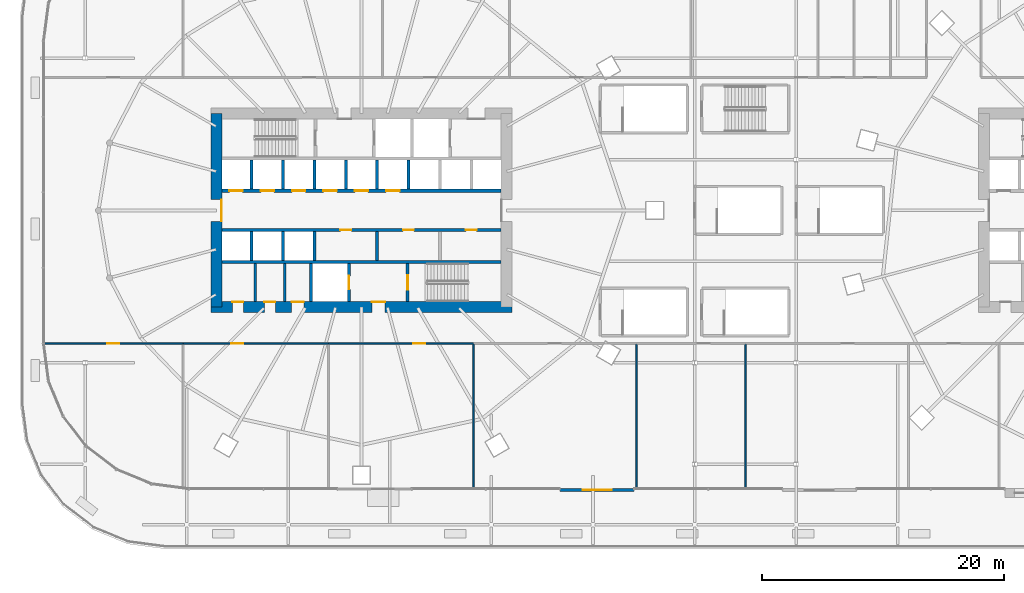
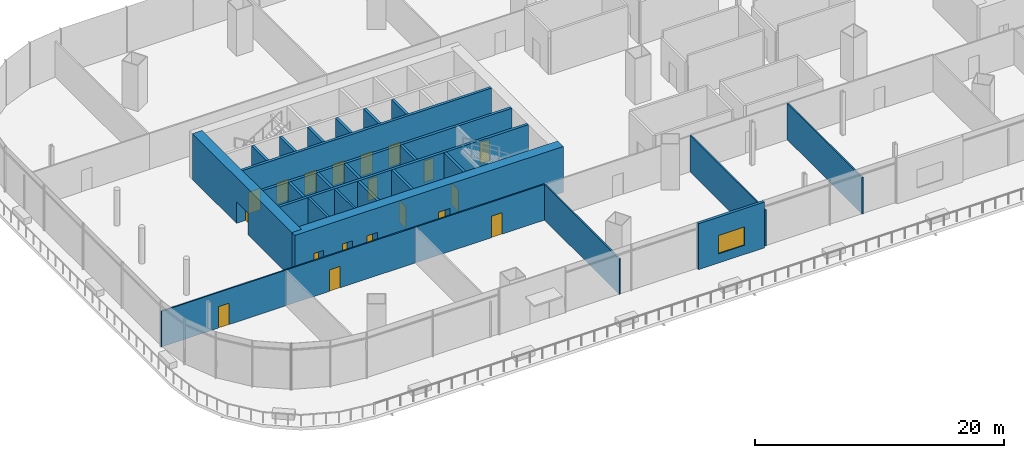
# One storey, part 31 of 49: 27 walls, 19 doors, 1 window, 20 openings.
"""IFC4 building model written with IfcOpenShell, lengths in metres."""

from ifc_helpers import new_model, si_unit, direction, frame, frame_2d, origin, place, context, subcontext, project, spatial, rectangle, extrude, material, layer, layer_set, type_object, element, fill, save


model = new_model("IFC4")

# Units and contexts
model_context = context("Model", 3, precision=1e-05, world=origin(), true_north=direction((0.0, 1.0)))
body_context = subcontext(model_context, "Body", "Model", "MODEL_VIEW")
ifc_project = project(units=[si_unit("LENGTHUNIT", "METRE"), si_unit("AREAUNIT", "SQUARE_METRE"), si_unit("VOLUMEUNIT", "CUBIC_METRE"), si_unit("PLANEANGLEUNIT", "RADIAN"), si_unit("MASSUNIT", "GRAM", prefix="KILO")], contexts=[model_context])

# Site, building, storey
site_placement = place(None, origin())
site = spatial("IfcSite", under=ifc_project, at=site_placement, CompositionType="ELEMENT")
building_placement = place(site_placement, origin())
building = spatial("IfcBuilding", under=site, at=building_placement, Name="Rimbun Link Towers", CompositionType="ELEMENT")
storey_placement = place(building_placement, frame((0.0, 0.0, 25.5)))
storey = spatial("IfcBuildingStorey", under=building, at=storey_placement, Name="L05", CompositionType="ELEMENT", Elevation=25.5)

# Walls
ifc_material_1 = material(Name="Masonry blockwork", Category="masonry")
ifc_layer_1 = layer(ifc_material_1, 0.199951171875)
ifc_layer_set_1 = layer_set([ifc_layer_1], Name="Core partition 200")
wall_type_1 = type_object("IfcWallType", Name="Core partition 200", PredefinedType="PARTITIONING", material=ifc_layer_set_1)
for number, where, z_axis, x_axis, name in (
    (1, (-40.550048828125, -4.39990234375, 0.0), (0.0, 0.0, 1.0), (0.0, -1.0, 0.0), "L05 T1 core wall C1"),
    (2, (-38.10009765625, -4.39990234375, 0.0), (0.0, 0.0, 1.0), (0.0, -1.0, 0.0), "L05 T1 core wall C2"),
):
    element("IfcWall", number, at=place(storey_placement, frame(where, z_axis=z_axis, x_axis=x_axis)), inside=storey, type_object=wall_type_1, Name=name, PredefinedType="PARTITIONING", context=body_context, shape_type="SweptSolid", body=[
        extrude(rectangle(XDim=3.150146484375, YDim=0.199951171875, at=frame_2d((1.5751953125, 0.0))), origin(), (0.0, 0.0, 1.0), 4.5),
    ])

# Wall, openings, doors
ifc_material_2 = material(Name="Concrete C60/75", Category="concrete")
ifc_layer_2 = layer(ifc_material_2, 0.89990234375)
ifc_layer_set_2 = layer_set([ifc_layer_2], Name="Core shear wall 900")
wall_type_2 = type_object("IfcWallType", Name="Core shear wall 900", PredefinedType="SHEAR", material=ifc_layer_set_2)
wall_1_placement = place(storey_placement, frame((-44.199951171875, -8.0, 0.0), z_axis=(0.0, 0.0, 1.0), x_axis=(1.0, 0.0, 0.0)))
wall_1 = element("IfcWall", 3, at=wall_1_placement, inside=storey, type_object=wall_type_2, Name="L05 T1 core wall S", PredefinedType="SHEAR", context=body_context, shape_type="SweptSolid", body=[
    extrude(rectangle(XDim=24.89990234375, YDim=0.89990234375, at=frame_2d((12.449951171875, 0.0))), origin(), (0.0, 0.0, 1.0), 4.5),
])
opening_1_placement = place(wall_1_placement, frame((13.300048828125, 0.0, 0.0)))
opening_1 = element("IfcOpeningElement", 4, at=opening_1_placement, cuts=wall_1, Name="Opening C1DCF01S", PredefinedType="OPENING", context=body_context, shape_type="SweptSolid", body=[
    extrude(rectangle(XDim=1.10009765625, YDim=2.10009765625, at=frame_2d((0.550048828125, 1.050048828125))), frame((0.0, 0.4599609375, 0.0), z_axis=(0.0, -1.0, 0.0), x_axis=(1.0, 0.0, 0.0)), (0.0, 0.0, 1.0), 0.919921875),
])
opening_2_placement = place(wall_1_placement, frame((1.77490234375, 0.0, 0.0)))
opening_2 = element("IfcOpeningElement", 5, at=opening_2_placement, cuts=wall_1, Name="Opening C1DWC02S", PredefinedType="OPENING", context=body_context, shape_type="SweptSolid", body=[
    extrude(rectangle(XDim=0.89990234375, YDim=2.10009765625, at=frame_2d((0.449951171875, 1.050048828125))), frame((0.0, 0.4599609375, 0.0), z_axis=(0.0, -1.0, 0.0), x_axis=(1.0, 0.0, 0.0)), (0.0, 0.0, 1.0), 0.919921875),
])
opening_3_placement = place(wall_1_placement, frame((4.425048828125, 0.0, 0.0)))
opening_3 = element("IfcOpeningElement", 6, at=opening_3_placement, cuts=wall_1, Name="Opening C1DWC03S", PredefinedType="OPENING", context=body_context, shape_type="SweptSolid", body=[
    extrude(rectangle(XDim=0.89990234375, YDim=2.10009765625, at=frame_2d((0.449951171875, 1.050048828125))), frame((0.0, 0.4599609375, 0.0), z_axis=(0.0, -1.0, 0.0), x_axis=(1.0, 0.0, 0.0)), (0.0, 0.0, 1.0), 0.919921875),
])
opening_4_placement = place(wall_1_placement, frame((6.675048828125, 0.0, 0.0)))
opening_4 = element("IfcOpeningElement", 7, at=opening_4_placement, cuts=wall_1, Name="Opening C1DAW04S", PredefinedType="OPENING", context=body_context, shape_type="SweptSolid", body=[
    extrude(rectangle(XDim=1.0, YDim=2.10009765625, at=frame_2d((0.5, 1.050048828125))), frame((0.0, 0.4599609375, 0.0), z_axis=(0.0, -1.0, 0.0), x_axis=(1.0, 0.0, 0.0)), (0.0, 0.0, 1.0), 0.919921875),
])
ifc_material_3 = material(Name="Timber", Category="wood")
door_type_1 = type_object("IfcDoorType", Name="Accessible WC door", OperationType="SINGLE_SWING_LEFT", PredefinedType="DOOR", material=ifc_material_3)
door_1_placement = place(opening_4_placement, origin())
door_1 = element("IfcDoor", 8, at=door_1_placement, inside=storey, type_object=door_type_1, Name="L05 T1 accessible wc door", OperationType="SINGLE_SWING_RIGHT", OverallHeight=2.10009765625, OverallWidth=1.0, PredefinedType="DOOR", context=body_context, shape_type="SweptSolid", body=[
    extrude(rectangle(XDim=1.0, YDim=2.10009765625, at=frame_2d((0.5, 1.050048828125))), frame((0.0, 0.4501953125, 0.0), z_axis=(0.0, -1.0, 0.0), x_axis=(1.0, 0.0, 0.0)), (0.0, 0.0, 1.0), 0.050048828125),
])
fill(opening_4, door_1)
ifc_material_4 = material(Name="Steel fire door set", Category="steel")
door_type_2 = type_object("IfcDoorType", Name="Core fire door single", OperationType="SINGLE_SWING_LEFT", PredefinedType="DOOR", material=ifc_material_4)
door_2_placement = place(opening_1_placement, origin())
door_2 = element("IfcDoor", 9, at=door_2_placement, inside=storey, type_object=door_type_2, Name="L05 T1 firefighting lobby s door", OperationType="SINGLE_SWING_RIGHT", OverallHeight=2.10009765625, OverallWidth=1.10009765625, PredefinedType="DOOR", context=body_context, shape_type="SweptSolid", body=[
    extrude(rectangle(XDim=1.10009765625, YDim=2.10009765625, at=frame_2d((0.550048828125, 1.050048828125))), frame((0.0, 0.4501953125, 0.0), z_axis=(0.0, -1.0, 0.0), x_axis=(1.0, 0.0, 0.0)), (0.0, 0.0, 1.0), 0.050048828125),
])
fill(opening_1, door_2)
ifc_material_5 = material(Name="Timber", Category="wood")
door_type_3 = type_object("IfcDoorType", Name="WC door", OperationType="SINGLE_SWING_LEFT", PredefinedType="DOOR", material=ifc_material_5)
door_3_placement = place(opening_2_placement, origin())
door_3 = element("IfcDoor", 10, at=door_3_placement, inside=storey, type_object=door_type_3, Name="L05 T1 male wc door", OperationType="SINGLE_SWING_RIGHT", OverallHeight=2.10009765625, OverallWidth=0.89990234375, PredefinedType="DOOR", context=body_context, shape_type="SweptSolid", body=[
    extrude(rectangle(XDim=0.89990234375, YDim=2.10009765625, at=frame_2d((0.449951171875, 1.050048828125))), frame((0.0, 0.4501953125, 0.0), z_axis=(0.0, -1.0, 0.0), x_axis=(1.0, 0.0, 0.0)), (0.0, 0.0, 1.0), 0.050048828125),
])
fill(opening_2, door_3)
door_4_placement = place(opening_3_placement, origin())
door_4 = element("IfcDoor", 11, at=door_4_placement, inside=storey, type_object=door_type_3, Name="L05 T1 female wc door", OperationType="SINGLE_SWING_LEFT", OverallHeight=2.10009765625, OverallWidth=0.89990234375, PredefinedType="DOOR", context=body_context, shape_type="SweptSolid", body=[
    extrude(rectangle(XDim=0.89990234375, YDim=2.10009765625, at=frame_2d((0.449951171875, 1.050048828125))), frame((0.0, 0.4501953125, 0.0), z_axis=(0.0, -1.0, 0.0), x_axis=(1.0, 0.0, 0.0)), (0.0, 0.0, 1.0), 0.050048828125),
])
fill(opening_3, door_4)

# Wall, opening, door
wall_2_placement = place(storey_placement, frame((-43.75, -8.0, 0.0), z_axis=(0.0, 0.0, 1.0), x_axis=(0.0, 1.0, 0.0)))
wall_2 = element("IfcWall", 12, at=wall_2_placement, inside=storey, type_object=wall_type_2, Name="L05 T1 core wall W", PredefinedType="SHEAR", context=body_context, shape_type="SweptSolid", body=[
    extrude(rectangle(XDim=16.0, YDim=0.89990234375, at=frame_2d((8.0, 0.0))), origin(), (0.0, 0.0, 1.0), 4.5),
])
opening_5_placement = place(wall_2_placement, frame((7.10009765625, 0.0, 0.0)))
opening_5 = element("IfcOpeningElement", 13, at=opening_5_placement, cuts=wall_2, Name="Opening C1DCL01W", PredefinedType="OPENING", context=body_context, shape_type="SweptSolid", body=[
    extrude(rectangle(XDim=1.800048828125, YDim=2.10009765625, at=frame_2d((0.89990234375, 1.050048828125))), frame((0.0, 0.4599609375, 0.0), z_axis=(0.0, -1.0, 0.0), x_axis=(1.0, 0.0, 0.0)), (0.0, 0.0, 1.0), 0.919921875),
])
ifc_material_6 = material(Name="Steel fire door set", Category="steel")
door_type_4 = type_object("IfcDoorType", Name="Core lobby door double", OperationType="DOUBLE_DOOR_SINGLE_SWING", PredefinedType="DOOR", material=ifc_material_6)
door_5_placement = place(opening_5_placement, origin())
door_5 = element("IfcDoor", 14, at=door_5_placement, inside=storey, type_object=door_type_4, Name="L05 T1 lift lobby door", OperationType="DOUBLE_DOOR_SINGLE_SWING", OverallHeight=2.10009765625, OverallWidth=1.800048828125, PredefinedType="DOOR", context=body_context, shape_type="SweptSolid", body=[
    extrude(rectangle(XDim=1.800048828125, YDim=2.10009765625, at=frame_2d((0.89990234375, 1.050048828125))), frame((0.0, -0.39990234375, 0.0), z_axis=(0.0, -1.0, 0.0), x_axis=(1.0, 0.0, 0.0)), (0.0, 0.0, 1.0), 0.050048828125),
])
fill(opening_5, door_5)

# Wall, opening, window
ifc_material_7 = material(Name="Concrete C32/40, terracotta rainscreen cladding", Category="masonry")
ifc_layer_3 = layer(ifc_material_7, 0.25)
ifc_layer_set_3 = layer_set([ifc_layer_3], Name="PD solid bay wall 250")
wall_type_3 = type_object("IfcWallType", Name="PD solid bay wall 250", PredefinedType="STANDARD", material=ifc_layer_set_3)
wall_3_placement = place(storey_placement, frame((-9.219970703125, -23.125, 0.0), z_axis=(0.0, 0.0, 1.0), x_axis=(-1.0, 0.0, 0.0)))
wall_3 = element("IfcWall", 15, at=wall_3_placement, inside=storey, type_object=wall_type_3, Name="Solid bay wall", PredefinedType="STANDARD", context=body_context, shape_type="SweptSolid", body=[
    extrude(rectangle(XDim=6.09326171875, YDim=0.25, at=frame_2d((3.046630859375, 0.0))), origin(), (0.0, 0.0, 1.0), 4.5),
])
opening_6_placement = place(wall_3_placement, frame((1.8466796875, 0.0, 0.89990234375)))
opening_6 = element("IfcOpeningElement", 16, at=opening_6_placement, cuts=wall_3, Name="Opening WN20", PredefinedType="OPENING", context=body_context, shape_type="SweptSolid", body=[
    extrude(rectangle(XDim=2.39990234375, YDim=1.800048828125, at=frame_2d((1.199951171875, 0.89990234375))), frame((0.0, 0.135009765625, 0.0), z_axis=(0.0, -1.0, 0.0), x_axis=(1.0, 0.0, 0.0)), (0.0, 0.0, 1.0), 0.27001953125),
])
ifc_material_8 = material(Name="Aluminium framed window, low-iron glass", Category="aluminium")
window_type = type_object("IfcWindowType", Name="W1 podium window 2400X1800", PartitioningType="SINGLE_PANEL", PredefinedType="WINDOW", material=ifc_material_8)
window_placement = place(opening_6_placement, origin())
window = element("IfcWindow", 17, at=window_placement, inside=storey, type_object=window_type, Name="Podium window", OverallHeight=1.800048828125, OverallWidth=2.39990234375, PartitioningType="SINGLE_PANEL", PredefinedType="WINDOW", context=body_context, shape_type="SweptSolid", body=[
    extrude(rectangle(XDim=2.39990234375, YDim=1.800048828125, at=frame_2d((1.199951171875, 0.89990234375))), frame((0.0, 0.030029296875, 0.0), z_axis=(0.0, -1.0, 0.0), x_axis=(1.0, 0.0, 0.0)), (0.0, 0.0, 1.0), 0.06005859375),
])
fill(opening_6, window)

# Wall, opening, door
ifc_material_9 = material(Name="Gypsum board on steel studs", Category="steel")
ifc_layer_4 = layer(ifc_material_9, 0.125)
ifc_layer_set_4 = layer_set([ifc_layer_4], Name="Partition 125 board on studs")
wall_type_4 = type_object("IfcWallType", Name="Partition 125 board on studs", PredefinedType="PARTITIONING", material=ifc_layer_set_4)
wall_4_placement = place(storey_placement, frame((-58.080078125, -11.0, 0.0), z_axis=(0.0, 0.0, 1.0), x_axis=(1.0, 0.0, 0.0)))
wall_4 = element("IfcWall", 18, at=wall_4_placement, inside=storey, type_object=wall_type_4, Name="PD/PW/L05/025", PredefinedType="PARTITIONING", context=body_context, shape_type="SweptSolid", body=[
    extrude(rectangle(XDim=11.580078125, YDim=0.125, at=frame_2d((5.7900390625, 0.0))), origin(), (0.0, 0.0, 1.0), 3.49609375),
])
opening_7_placement = place(wall_4_placement, frame((5.2900390625, 0.0, 0.0)))
opening_7 = element("IfcOpeningElement", 19, at=opening_7_placement, cuts=wall_4, Name="Opening PD D05.01", PredefinedType="OPENING", context=body_context, shape_type="SweptSolid", body=[
    extrude(rectangle(XDim=1.0, YDim=2.10009765625, at=frame_2d((0.5, 1.050048828125))), frame((0.0, 0.072509765625, 0.0), z_axis=(0.0, -1.0, 0.0), x_axis=(1.0, 0.0, 0.0)), (0.0, 0.0, 1.0), 0.14501953125),
])
ifc_material_10 = material(Name="Timber door set", Category="wood")
door_type_5 = type_object("IfcDoorType", Name="Door single leaf 1000 x 2100", OperationType="NOTDEFINED", PredefinedType="DOOR", material=ifc_material_10)
door_6_placement = place(opening_7_placement, origin())
door_6 = element("IfcDoor", 20, at=door_6_placement, inside=storey, type_object=door_type_5, Name="PD/DR/L05/001", OperationType="SINGLE_SWING_RIGHT", OverallHeight=2.10009765625, OverallWidth=1.0, PredefinedType="DOOR", context=body_context, shape_type="SweptSolid", body=[
    extrude(rectangle(XDim=1.0, YDim=2.10009765625, at=frame_2d((0.5, 1.050048828125))), frame((0.0, 0.02490234375, 0.0), z_axis=(0.0, -1.0, 0.0), x_axis=(1.0, 0.0, 0.0)), (0.0, 0.0, 1.0), 0.050048828125),
])
fill(opening_7, door_6)

wall_5_placement = place(storey_placement, frame((-46.5, -11.0, 0.0), z_axis=(0.0, 0.0, 1.0), x_axis=(1.0, 0.0, 0.0)))
wall_5 = element("IfcWall", 21, at=wall_5_placement, inside=storey, type_object=wall_type_4, Name="PD/PW/L05/026", PredefinedType="PARTITIONING", context=body_context, shape_type="SweptSolid", body=[
    extrude(rectangle(XDim=12.0, YDim=0.125, at=frame_2d((6.0, 0.0))), origin(), (0.0, 0.0, 1.0), 3.49609375),
])
opening_8_placement = place(wall_5_placement, frame((3.985107421875, 0.0, 0.0)))
opening_8 = element("IfcOpeningElement", 22, at=opening_8_placement, cuts=wall_5, Name="Opening PD D05.02", PredefinedType="OPENING", context=body_context, shape_type="SweptSolid", body=[
    extrude(rectangle(XDim=1.0, YDim=2.10009765625, at=frame_2d((0.5, 1.050048828125))), frame((0.0, 0.072509765625, 0.0), z_axis=(0.0, -1.0, 0.0), x_axis=(1.0, 0.0, 0.0)), (0.0, 0.0, 1.0), 0.14501953125),
])
door_7_placement = place(opening_8_placement, origin())
door_7 = element("IfcDoor", 23, at=door_7_placement, inside=storey, type_object=door_type_5, Name="PD/DR/L05/002", OperationType="SINGLE_SWING_LEFT", OverallHeight=2.10009765625, OverallWidth=1.0, PredefinedType="DOOR", context=body_context, shape_type="SweptSolid", body=[
    extrude(rectangle(XDim=1.0, YDim=2.10009765625, at=frame_2d((0.5, 1.050048828125))), frame((0.0, 0.02490234375, 0.0), z_axis=(0.0, -1.0, 0.0), x_axis=(1.0, 0.0, 0.0)), (0.0, 0.0, 1.0), 0.050048828125),
])
fill(opening_8, door_7)

wall_6_placement = place(storey_placement, frame((-34.5, -11.0, 0.0), z_axis=(0.0, 0.0, 1.0), x_axis=(1.0, 0.0, 0.0)))
wall_6 = element("IfcWall", 24, at=wall_6_placement, inside=storey, type_object=wall_type_4, Name="PD/PW/L05/027", PredefinedType="PARTITIONING", context=body_context, shape_type="SweptSolid", body=[
    extrude(rectangle(XDim=12.0, YDim=0.125, at=frame_2d((6.0, 0.0))), origin(), (0.0, 0.0, 1.0), 3.49609375),
])
opening_9_placement = place(wall_6_placement, frame((7.014892578125, 0.0, 0.0)))
opening_9 = element("IfcOpeningElement", 25, at=opening_9_placement, cuts=wall_6, Name="Opening PD D05.03", PredefinedType="OPENING", context=body_context, shape_type="SweptSolid", body=[
    extrude(rectangle(XDim=1.0, YDim=2.10009765625, at=frame_2d((0.5, 1.050048828125))), frame((0.0, 0.072509765625, 0.0), z_axis=(0.0, -1.0, 0.0), x_axis=(1.0, 0.0, 0.0)), (0.0, 0.0, 1.0), 0.14501953125),
])
door_8_placement = place(opening_9_placement, origin())
door_8 = element("IfcDoor", 26, at=door_8_placement, inside=storey, type_object=door_type_5, Name="PD/DR/L05/003", OperationType="SINGLE_SWING_RIGHT", OverallHeight=2.10009765625, OverallWidth=1.0, PredefinedType="DOOR", context=body_context, shape_type="SweptSolid", body=[
    extrude(rectangle(XDim=1.0, YDim=2.10009765625, at=frame_2d((0.5, 1.050048828125))), frame((0.0, 0.02490234375, 0.0), z_axis=(0.0, -1.0, 0.0), x_axis=(1.0, 0.0, 0.0)), (0.0, 0.0, 1.0), 0.050048828125),
])
fill(opening_9, door_8)

# Walls
wall_7_placement = place(storey_placement, frame((-22.5, -23.080078125, 0.0), z_axis=(0.0, 0.0, 1.0), x_axis=(0.0, 1.0, 0.0)))
element("IfcWall", 27, at=wall_7_placement, inside=storey, type_object=wall_type_4, Name="PD/PW/L05/048", PredefinedType="PARTITIONING", context=body_context, shape_type="SweptSolid", body=[
    extrude(rectangle(XDim=12.017578125, YDim=0.125, at=frame_2d((6.0087890625, 0.0))), origin(), (0.0, 0.0, 1.0), 3.49609375),
])
for number, where, z_axis, x_axis, name in (
    (28, (-9.0, -23.080078125, 0.0), (0.0, 0.0, 1.0), (0.0, 1.0, 0.0), "PD/PW/L05/049"),
    (29, (0.0, -23.080078125, 0.0), (0.0, 0.0, 1.0), (0.0, 1.0, 0.0), "PD/PW/L05/050"),
):
    element("IfcWall", number, at=place(storey_placement, frame(where, z_axis=z_axis, x_axis=x_axis)), inside=storey, type_object=wall_type_4, Name=name, PredefinedType="PARTITIONING", context=body_context, shape_type="SweptSolid", body=[
        extrude(rectangle(XDim=12.017578125, YDim=0.125, at=frame_2d((6.0087890625, 0.0))), origin(), (0.0, 0.0, 1.0), 3.576904296875),
    ])
ifc_material_11 = material(Name="Concrete C60/75", Category="concrete")
ifc_layer_5 = layer(ifc_material_11, 0.25)
ifc_layer_set_5 = layer_set([ifc_layer_5], Name="Shaft wall 250")
wall_type_5 = type_object("IfcWallType", Name="Shaft wall 250", PredefinedType="SHEAR", material=ifc_layer_set_5)
wall_8_placement = place(storey_placement, frame((-43.300048828125, -4.27490234375, 0.0), z_axis=(0.0, 0.0, 1.0), x_axis=(1.0, 0.0, 0.0)))
element("IfcWall", 30, at=wall_8_placement, inside=storey, type_object=wall_type_5, Name="L05 T1 core wall BS", PredefinedType="SHEAR", context=body_context, shape_type="SweptSolid", body=[
    extrude(rectangle(XDim=23.10009765625, YDim=0.25, at=frame_2d((11.550048828125, 0.0))), origin(), (0.0, 0.0, 1.0), 4.5),
])

# Wall, openings, doors
wall_9_placement = place(storey_placement, frame((-43.300048828125, 1.625, 0.0), z_axis=(0.0, 0.0, 1.0), x_axis=(1.0, 0.0, 0.0)))
wall_9 = element("IfcWall", 31, at=wall_9_placement, inside=storey, type_object=wall_type_5, Name="L05 T1 core wall FN", PredefinedType="SHEAR", context=body_context, shape_type="SweptSolid", body=[
    extrude(rectangle(XDim=23.10009765625, YDim=0.25, at=frame_2d((11.550048828125, 0.0))), origin(), (0.0, 0.0, 1.0), 4.5),
])
opening_10_placement = place(wall_9_placement, frame((0.622314453125, 0.0, 0.0)))
opening_10 = element("IfcOpeningElement", 32, at=opening_10_placement, cuts=wall_9, Name="Opening LD-T1-LR1", PredefinedType="OPENING", context=body_context, shape_type="SweptSolid", body=[
    extrude(rectangle(XDim=1.10009765625, YDim=2.10009765625, at=frame_2d((0.550048828125, 1.050048828125))), frame((0.0, 0.135009765625, 0.0), z_axis=(0.0, -1.0, 0.0), x_axis=(1.0, 0.0, 0.0)), (0.0, 0.0, 1.0), 0.27001953125),
])
opening_11_placement = place(wall_9_placement, frame((3.216796875, 0.0, 0.0)))
opening_11 = element("IfcOpeningElement", 33, at=opening_11_placement, cuts=wall_9, Name="Opening LD-T1-LR2", PredefinedType="OPENING", context=body_context, shape_type="SweptSolid", body=[
    extrude(rectangle(XDim=1.10009765625, YDim=2.10009765625, at=frame_2d((0.550048828125, 1.050048828125))), frame((0.0, 0.135009765625, 0.0), z_axis=(0.0, -1.0, 0.0), x_axis=(1.0, 0.0, 0.0)), (0.0, 0.0, 1.0), 0.27001953125),
])
opening_12_placement = place(wall_9_placement, frame((5.81103515625, 0.0, 0.0)))
opening_12 = element("IfcOpeningElement", 34, at=opening_12_placement, cuts=wall_9, Name="Opening LD-T1-LR3", PredefinedType="OPENING", context=body_context, shape_type="SweptSolid", body=[
    extrude(rectangle(XDim=1.10009765625, YDim=2.10009765625, at=frame_2d((0.550048828125, 1.050048828125))), frame((0.0, 0.135009765625, 0.0), z_axis=(0.0, -1.0, 0.0), x_axis=(1.0, 0.0, 0.0)), (0.0, 0.0, 1.0), 0.27001953125),
])
opening_13_placement = place(wall_9_placement, frame((8.405517578125, 0.0, 0.0)))
opening_13 = element("IfcOpeningElement", 35, at=opening_13_placement, cuts=wall_9, Name="Opening LD-T1-LR4", PredefinedType="OPENING", context=body_context, shape_type="SweptSolid", body=[
    extrude(rectangle(XDim=1.10009765625, YDim=2.10009765625, at=frame_2d((0.550048828125, 1.050048828125))), frame((0.0, 0.135009765625, 0.0), z_axis=(0.0, -1.0, 0.0), x_axis=(1.0, 0.0, 0.0)), (0.0, 0.0, 1.0), 0.27001953125),
])
opening_14_placement = place(wall_9_placement, frame((11.0, 0.0, 0.0)))
opening_14 = element("IfcOpeningElement", 36, at=opening_14_placement, cuts=wall_9, Name="Opening LD-T1-LR5", PredefinedType="OPENING", context=body_context, shape_type="SweptSolid", body=[
    extrude(rectangle(XDim=1.10009765625, YDim=2.10009765625, at=frame_2d((0.550048828125, 1.050048828125))), frame((0.0, 0.135009765625, 0.0), z_axis=(0.0, -1.0, 0.0), x_axis=(1.0, 0.0, 0.0)), (0.0, 0.0, 1.0), 0.27001953125),
])
opening_15_placement = place(wall_9_placement, frame((13.594482421875, 0.0, 0.0)))
opening_15 = element("IfcOpeningElement", 37, at=opening_15_placement, cuts=wall_9, Name="Opening LD-T1-LR6", PredefinedType="OPENING", context=body_context, shape_type="SweptSolid", body=[
    extrude(rectangle(XDim=1.10009765625, YDim=2.10009765625, at=frame_2d((0.550048828125, 1.050048828125))), frame((0.0, 0.135009765625, 0.0), z_axis=(0.0, -1.0, 0.0), x_axis=(1.0, 0.0, 0.0)), (0.0, 0.0, 1.0), 0.27001953125),
])
ifc_material_12 = material(Name="Stainless steel grade 316", Category="steel")
door_type_6 = type_object("IfcDoorType", Name="Lift landing door", OperationType="DOUBLE_DOOR_SLIDING", PredefinedType="DOOR", material=ifc_material_12)
door_9_placement = place(opening_10_placement, origin())
door_9 = element("IfcDoor", 38, at=door_9_placement, inside=storey, type_object=door_type_6, Name="L05 T1 lift LR1 landing door", OperationType="DOUBLE_DOOR_SLIDING", OverallHeight=2.10009765625, OverallWidth=1.10009765625, PredefinedType="DOOR", context=body_context, shape_type="SweptSolid", body=[
    extrude(rectangle(XDim=1.10009765625, YDim=2.10009765625, at=frame_2d((0.550048828125, 1.050048828125))), frame((0.0, 0.02490234375, 0.0), z_axis=(0.0, -1.0, 0.0), x_axis=(1.0, 0.0, 0.0)), (0.0, 0.0, 1.0), 0.050048828125),
])
fill(opening_10, door_9)
door_10_placement = place(opening_11_placement, origin())
door_10 = element("IfcDoor", 39, at=door_10_placement, inside=storey, type_object=door_type_6, Name="L05 T1 lift LR2 landing door", OperationType="DOUBLE_DOOR_SLIDING", OverallHeight=2.10009765625, OverallWidth=1.10009765625, PredefinedType="DOOR", context=body_context, shape_type="SweptSolid", body=[
    extrude(rectangle(XDim=1.10009765625, YDim=2.10009765625, at=frame_2d((0.550048828125, 1.050048828125))), frame((0.0, 0.02490234375, 0.0), z_axis=(0.0, -1.0, 0.0), x_axis=(1.0, 0.0, 0.0)), (0.0, 0.0, 1.0), 0.050048828125),
])
fill(opening_11, door_10)
door_11_placement = place(opening_12_placement, origin())
door_11 = element("IfcDoor", 40, at=door_11_placement, inside=storey, type_object=door_type_6, Name="L05 T1 lift LR3 landing door", OperationType="DOUBLE_DOOR_SLIDING", OverallHeight=2.10009765625, OverallWidth=1.10009765625, PredefinedType="DOOR", context=body_context, shape_type="SweptSolid", body=[
    extrude(rectangle(XDim=1.10009765625, YDim=2.10009765625, at=frame_2d((0.550048828125, 1.050048828125))), frame((0.0, 0.02490234375, 0.0), z_axis=(0.0, -1.0, 0.0), x_axis=(1.0, 0.0, 0.0)), (0.0, 0.0, 1.0), 0.050048828125),
])
fill(opening_12, door_11)
door_12_placement = place(opening_13_placement, origin())
door_12 = element("IfcDoor", 41, at=door_12_placement, inside=storey, type_object=door_type_6, Name="L05 T1 lift LR4 landing door", OperationType="DOUBLE_DOOR_SLIDING", OverallHeight=2.10009765625, OverallWidth=1.10009765625, PredefinedType="DOOR", context=body_context, shape_type="SweptSolid", body=[
    extrude(rectangle(XDim=1.10009765625, YDim=2.10009765625, at=frame_2d((0.550048828125, 1.050048828125))), frame((0.0, 0.02490234375, 0.0), z_axis=(0.0, -1.0, 0.0), x_axis=(1.0, 0.0, 0.0)), (0.0, 0.0, 1.0), 0.050048828125),
])
fill(opening_13, door_12)
door_13_placement = place(opening_14_placement, origin())
door_13 = element("IfcDoor", 42, at=door_13_placement, inside=storey, type_object=door_type_6, Name="L05 T1 lift LR5 landing door", OperationType="DOUBLE_DOOR_SLIDING", OverallHeight=2.10009765625, OverallWidth=1.10009765625, PredefinedType="DOOR", context=body_context, shape_type="SweptSolid", body=[
    extrude(rectangle(XDim=1.10009765625, YDim=2.10009765625, at=frame_2d((0.550048828125, 1.050048828125))), frame((0.0, 0.02490234375, 0.0), z_axis=(0.0, -1.0, 0.0), x_axis=(1.0, 0.0, 0.0)), (0.0, 0.0, 1.0), 0.050048828125),
])
fill(opening_14, door_13)
door_14_placement = place(opening_15_placement, origin())
door_14 = element("IfcDoor", 43, at=door_14_placement, inside=storey, type_object=door_type_6, Name="L05 T1 lift LR6 landing door", OperationType="DOUBLE_DOOR_SLIDING", OverallHeight=2.10009765625, OverallWidth=1.10009765625, PredefinedType="DOOR", context=body_context, shape_type="SweptSolid", body=[
    extrude(rectangle(XDim=1.10009765625, YDim=2.10009765625, at=frame_2d((0.550048828125, 1.050048828125))), frame((0.0, 0.02490234375, 0.0), z_axis=(0.0, -1.0, 0.0), x_axis=(1.0, 0.0, 0.0)), (0.0, 0.0, 1.0), 0.050048828125),
])
fill(opening_15, door_14)

wall_10_placement = place(storey_placement, frame((-43.300048828125, -1.625, 0.0), z_axis=(0.0, 0.0, 1.0), x_axis=(1.0, 0.0, 0.0)))
wall_10 = element("IfcWall", 44, at=wall_10_placement, inside=storey, type_object=wall_type_5, Name="L05 T1 core wall FS", PredefinedType="SHEAR", context=body_context, shape_type="SweptSolid", body=[
    extrude(rectangle(XDim=23.10009765625, YDim=0.25, at=frame_2d((11.550048828125, 0.0))), origin(), (0.0, 0.0, 1.0), 4.5),
])
opening_16_placement = place(wall_10_placement, frame((9.802734375, 0.0, 0.0)))
opening_16 = element("IfcOpeningElement", 45, at=opening_16_placement, cuts=wall_10, Name="Opening C1DRS01FS", PredefinedType="OPENING", context=body_context, shape_type="SweptSolid", body=[
    extrude(rectangle(XDim=0.89990234375, YDim=2.10009765625, at=frame_2d((0.449951171875, 1.050048828125))), frame((0.0, 0.135009765625, 0.0), z_axis=(0.0, -1.0, 0.0), x_axis=(1.0, 0.0, 0.0)), (0.0, 0.0, 1.0), 0.27001953125),
])
opening_17_placement = place(wall_10_placement, frame((14.99169921875, 0.0, 0.0)))
opening_17 = element("IfcOpeningElement", 46, at=opening_17_placement, cuts=wall_10, Name="Opening C1DRS02FS", PredefinedType="OPENING", context=body_context, shape_type="SweptSolid", body=[
    extrude(rectangle(XDim=0.89990234375, YDim=2.10009765625, at=frame_2d((0.449951171875, 1.050048828125))), frame((0.0, 0.135009765625, 0.0), z_axis=(0.0, -1.0, 0.0), x_axis=(1.0, 0.0, 0.0)), (0.0, 0.0, 1.0), 0.27001953125),
])
opening_18_placement = place(wall_10_placement, frame((20.1806640625, 0.0, 0.0)))
opening_18 = element("IfcOpeningElement", 47, at=opening_18_placement, cuts=wall_10, Name="Opening C1DRS03FS", PredefinedType="OPENING", context=body_context, shape_type="SweptSolid", body=[
    extrude(rectangle(XDim=0.89990234375, YDim=2.10009765625, at=frame_2d((0.449951171875, 1.050048828125))), frame((0.0, 0.135009765625, 0.0), z_axis=(0.0, -1.0, 0.0), x_axis=(1.0, 0.0, 0.0)), (0.0, 0.0, 1.0), 0.27001953125),
])
ifc_material_13 = material(Name="Steel fire door set", Category="steel")
door_type_7 = type_object("IfcDoorType", Name="Core riser door", OperationType="SINGLE_SWING_LEFT", PredefinedType="DOOR", material=ifc_material_13)
door_15_placement = place(opening_16_placement, origin())
door_15 = element("IfcDoor", 48, at=door_15_placement, inside=storey, type_object=door_type_7, Name="L05 T1 server room door", OperationType="SINGLE_SWING_RIGHT", OverallHeight=2.10009765625, OverallWidth=0.89990234375, PredefinedType="DOOR", context=body_context, shape_type="SweptSolid", body=[
    extrude(rectangle(XDim=0.89990234375, YDim=2.10009765625, at=frame_2d((0.449951171875, 1.050048828125))), frame((0.0, 0.02490234375, 0.0), z_axis=(0.0, -1.0, 0.0), x_axis=(1.0, 0.0, 0.0)), (0.0, 0.0, 1.0), 0.050048828125),
])
fill(opening_16, door_15)
door_16_placement = place(opening_17_placement, origin())
door_16 = element("IfcDoor", 49, at=door_16_placement, inside=storey, type_object=door_type_7, Name="L05 T1 print room door", OperationType="SINGLE_SWING_LEFT", OverallHeight=2.10009765625, OverallWidth=0.89990234375, PredefinedType="DOOR", context=body_context, shape_type="SweptSolid", body=[
    extrude(rectangle(XDim=0.89990234375, YDim=2.10009765625, at=frame_2d((0.449951171875, 1.050048828125))), frame((0.0, 0.02490234375, 0.0), z_axis=(0.0, -1.0, 0.0), x_axis=(1.0, 0.0, 0.0)), (0.0, 0.0, 1.0), 0.050048828125),
])
fill(opening_17, door_16)
door_17_placement = place(opening_18_placement, origin())
door_17 = element("IfcDoor", 50, at=door_17_placement, inside=storey, type_object=door_type_7, Name="L05 T1 staff lounge door", OperationType="SINGLE_SWING_LEFT", OverallHeight=2.10009765625, OverallWidth=0.89990234375, PredefinedType="DOOR", context=body_context, shape_type="SweptSolid", body=[
    extrude(rectangle(XDim=0.89990234375, YDim=2.10009765625, at=frame_2d((0.449951171875, 1.050048828125))), frame((0.0, 0.02490234375, 0.0), z_axis=(0.0, -1.0, 0.0), x_axis=(1.0, 0.0, 0.0)), (0.0, 0.0, 1.0), 0.050048828125),
])
fill(opening_18, door_17)

# Walls
for number, where, z_axis, x_axis, name in (
    (51, (-40.83056640625, 1.75, 0.0), (0.0, 0.0, 1.0), (0.0, 1.0, 0.0), "L05 T1 core wall DN0"),
    (52, (-38.236083984375, 1.75, 0.0), (0.0, 0.0, 1.0), (0.0, 1.0, 0.0), "L05 T1 core wall DN1"),
    (53, (-35.6416015625, 1.75, 0.0), (0.0, 0.0, 1.0), (0.0, 1.0, 0.0), "L05 T1 core wall DN2"),
    (54, (-33.047119140625, 1.75, 0.0), (0.0, 0.0, 1.0), (0.0, 1.0, 0.0), "L05 T1 core wall DN3"),
    (55, (-30.452880859375, 1.75, 0.0), (0.0, 0.0, 1.0), (0.0, 1.0, 0.0), "L05 T1 core wall DN4"),
    (56, (-27.8583984375, 1.75, 0.0), (0.0, 0.0, 1.0), (0.0, 1.0, 0.0), "L05 T1 core wall DN5"),
    (57, (-40.83056640625, -4.14990234375, 0.0), (0.0, 0.0, 1.0), (0.0, 1.0, 0.0), "L05 T1 core wall DS0"),
    (58, (-38.236083984375, -4.14990234375, 0.0), (0.0, 0.0, 1.0), (0.0, 1.0, 0.0), "L05 T1 core wall DS1"),
    (59, (-35.6416015625, -4.14990234375, 0.0), (0.0, 0.0, 1.0), (0.0, 1.0, 0.0), "L05 T1 core wall DS2"),
    (60, (-30.452880859375, -4.14990234375, 0.0), (0.0, 0.0, 1.0), (0.0, 1.0, 0.0), "L05 T1 core wall DS4"),
):
    element("IfcWall", number, at=place(storey_placement, frame(where, z_axis=z_axis, x_axis=x_axis)), inside=storey, type_object=wall_type_5, Name=name, PredefinedType="SHEAR", context=body_context, shape_type="SweptSolid", body=[
        extrude(rectangle(XDim=2.39990234375, YDim=0.25, at=frame_2d((1.199951171875, 0.0))), origin(), (0.0, 0.0, 1.0), 4.5),
    ])

# Wall, opening, door
wall_11_placement = place(storey_placement, frame((-27.925048828125, -4.39990234375, 0.0), z_axis=(0.0, 0.0, 1.0), x_axis=(0.0, -1.0, 0.0)))
wall_11 = element("IfcWall", 61, at=wall_11_placement, inside=storey, type_object=wall_type_5, Name="L05 T1 core wall B1", PredefinedType="SHEAR", context=body_context, shape_type="SweptSolid", body=[
    extrude(rectangle(XDim=3.150146484375, YDim=0.25, at=frame_2d((1.5751953125, 0.0))), origin(), (0.0, 0.0, 1.0), 4.5),
])
opening_19_placement = place(wall_11_placement, frame((0.97509765625, 0.0, 0.0)))
opening_19 = element("IfcOpeningElement", 62, at=opening_19_placement, cuts=wall_11, Name="Opening C1DST01B1", PredefinedType="OPENING", context=body_context, shape_type="SweptSolid", body=[
    extrude(rectangle(XDim=1.199951171875, YDim=2.10009765625, at=frame_2d((0.60009765625, 1.050048828125))), frame((0.0, 0.135009765625, 0.0), z_axis=(0.0, -1.0, 0.0), x_axis=(1.0, 0.0, 0.0)), (0.0, 0.0, 1.0), 0.27001953125),
])
ifc_material_14 = material(Name="Steel fire door set", Category="steel")
door_type_8 = type_object("IfcDoorType", Name="Stair door", OperationType="SINGLE_SWING_LEFT", PredefinedType="DOOR", material=ifc_material_14)
door_18_placement = place(opening_19_placement, origin())
door_18 = element("IfcDoor", 63, at=door_18_placement, inside=storey, type_object=door_type_8, Name="L05 T1 stair b door", OperationType="SINGLE_SWING_RIGHT", OverallHeight=2.10009765625, OverallWidth=1.199951171875, PredefinedType="DOOR", context=body_context, shape_type="SweptSolid", body=[
    extrude(rectangle(XDim=1.199951171875, YDim=2.10009765625, at=frame_2d((0.60009765625, 1.050048828125))), frame((0.0, 0.02490234375, 0.0), z_axis=(0.0, -1.0, 0.0), x_axis=(1.0, 0.0, 0.0)), (0.0, 0.0, 1.0), 0.050048828125),
])
fill(opening_19, door_18)

wall_12_placement = place(storey_placement, frame((-32.77490234375, -4.39990234375, 0.0), z_axis=(0.0, 0.0, 1.0), x_axis=(0.0, -1.0, 0.0)))
wall_12 = element("IfcWall", 64, at=wall_12_placement, inside=storey, type_object=wall_type_5, Name="L05 T1 core wall B2", PredefinedType="SHEAR", context=body_context, shape_type="SweptSolid", body=[
    extrude(rectangle(XDim=3.150146484375, YDim=0.25, at=frame_2d((1.5751953125, 0.0))), origin(), (0.0, 0.0, 1.0), 4.5),
])
opening_20_placement = place(wall_12_placement, frame((1.02490234375, 0.0, 0.0)))
opening_20 = element("IfcOpeningElement", 65, at=opening_20_placement, cuts=wall_12, Name="Opening LD-T1-FF2", PredefinedType="OPENING", context=body_context, shape_type="SweptSolid", body=[
    extrude(rectangle(XDim=1.10009765625, YDim=2.10009765625, at=frame_2d((0.550048828125, 1.050048828125))), frame((0.0, 0.135009765625, 0.0), z_axis=(0.0, -1.0, 0.0), x_axis=(1.0, 0.0, 0.0)), (0.0, 0.0, 1.0), 0.27001953125),
])
door_19_placement = place(opening_20_placement, origin())
door_19 = element("IfcDoor", 66, at=door_19_placement, inside=storey, type_object=door_type_6, Name="L05 T1 lift FF2 landing door", OperationType="DOUBLE_DOOR_SLIDING", OverallHeight=2.10009765625, OverallWidth=1.10009765625, PredefinedType="DOOR", context=body_context, shape_type="SweptSolid", body=[
    extrude(rectangle(XDim=1.10009765625, YDim=2.10009765625, at=frame_2d((0.550048828125, 1.050048828125))), frame((0.0, 0.02490234375, 0.0), z_axis=(0.0, -1.0, 0.0), x_axis=(1.0, 0.0, 0.0)), (0.0, 0.0, 1.0), 0.050048828125),
])
fill(opening_20, door_19)

# Wall
wall_13_placement = place(storey_placement, frame((-35.925048828125, -4.39990234375, 0.0), z_axis=(0.0, 0.0, 1.0), x_axis=(0.0, -1.0, 0.0)))
element("IfcWall", 67, at=wall_13_placement, inside=storey, type_object=wall_type_5, Name="L05 T1 core wall B3", PredefinedType="SHEAR", context=body_context, shape_type="SweptSolid", body=[
    extrude(rectangle(XDim=3.150146484375, YDim=0.25, at=frame_2d((1.5751953125, 0.0))), origin(), (0.0, 0.0, 1.0), 4.5),
])

save(model, "model.ifc")
